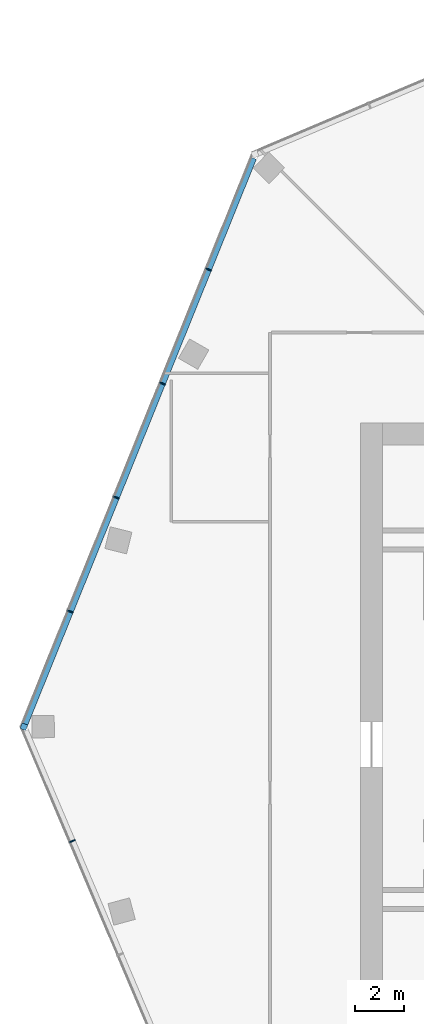
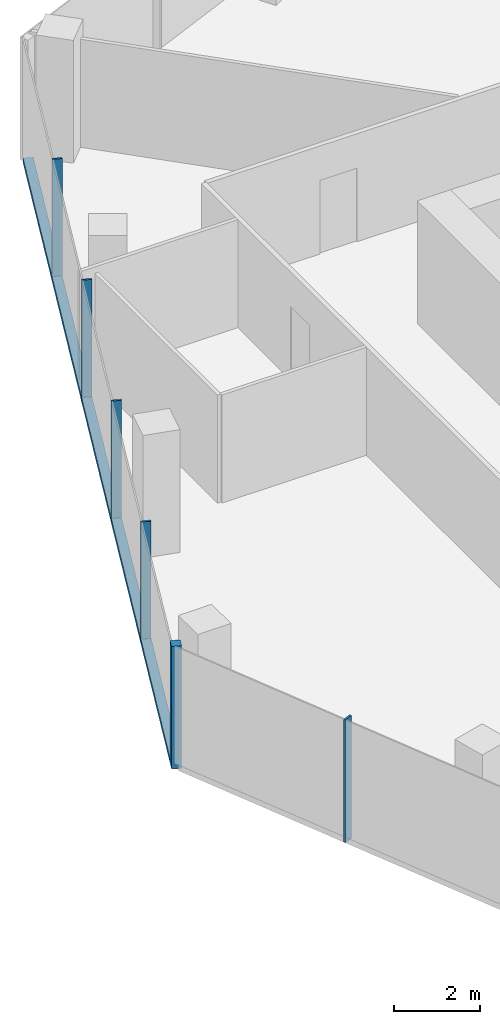
# One storey, part 6 of 15: 7 members, 2 elements without a shape of their own.
"""IFC4 building model written with IfcOpenShell, lengths in metres."""

from ifc_helpers import new_model, si_unit, direction, frame, origin, origin_2d, place, context, subcontext, project, spatial, rectangle, extrude, material, material_profile, profile_set, type_object, element, aggregate, save


model = new_model("IFC4")

# Units and contexts
model_context = context("Model", 3, precision=1e-05, world=origin(), true_north=direction((0.0, 1.0)))
body_context = subcontext(model_context, "Body", "Model", "MODEL_VIEW")
ifc_project = project(units=[si_unit("LENGTHUNIT", "METRE"), si_unit("AREAUNIT", "SQUARE_METRE"), si_unit("VOLUMEUNIT", "CUBIC_METRE"), si_unit("PLANEANGLEUNIT", "RADIAN"), si_unit("MASSUNIT", "GRAM", prefix="KILO")], contexts=[model_context])

# Site, building, storey
site_placement = place(None, origin())
site = spatial("IfcSite", under=ifc_project, at=site_placement, CompositionType="ELEMENT")
building_placement = place(site_placement, origin())
building = spatial("IfcBuilding", under=site, at=building_placement, Name="Orlundy Tower", CompositionType="ELEMENT")
storey_placement = place(building_placement, frame((0.0, 0.0, 278.89990234375)))
storey = spatial("IfcBuildingStorey", under=building, at=storey_placement, Name="L74", CompositionType="ELEMENT", Elevation=278.89990234375)

# Curtain wall, member
ifc_material_1 = material(Name="Aluminium bronze anodised", Category="aluminium")
curtain_wall_type = type_object("IfcCurtainWallType", Name="CW6 wall", PredefinedType="NOTDEFINED", material=ifc_material_1)
curtain_wall_1_placement = place(storey_placement, origin())
curtain_wall_1 = element("IfcCurtainWall", 1, at=curtain_wall_1_placement, inside=storey, type_object=curtain_wall_type, Name="CW6 run 015", PredefinedType="NOTDEFINED")
ifc_material_2 = material(Name="Aluminium bronze anodised", Category="aluminium")
ifc_material_profile_1 = material_profile(ifc_material_2, rectangle(XDim=0.239990234375, YDim=0.239990234375, at=origin_2d()), Name="CW6 corner post 240x240")
ifc_profile_set_1 = profile_set([ifc_material_profile_1], Name="Aluminium bronze anodised")
member_type_1 = type_object("IfcMemberType", Name="CW6 corner post 240x240", PredefinedType="MULLION", material=ifc_profile_set_1)
member_1_placement = place(storey_placement, frame((-32.600830078125, -0.2841796875, -0.39990234375), z_axis=(0.0, 0.0, 1.0), x_axis=(-0.927183523653, 0.374607412456, 0.0)))
member_1 = element("IfcMember", 2, at=member_1_placement, type_object=member_type_1, Name="CW6 mullion 27", PredefinedType="MULLION", context=body_context, shape_type="SweptSolid", body=[
    extrude(rectangle(XDim=0.239990234375, YDim=0.239990234375, at=origin_2d()), origin(), (0.0, 0.0, 1.0), 3.5),
])

curtain_wall_2_placement = place(storey_placement, origin())
curtain_wall_2 = element("IfcCurtainWall", 3, at=curtain_wall_2_placement, inside=storey, type_object=curtain_wall_type, Name="CW6 run 014", PredefinedType="NOTDEFINED")
ifc_material_3 = material(Name="Aluminium bronze anodised", Category="aluminium")
ifc_material_profile_2 = material_profile(ifc_material_3, rectangle(XDim=0.239990234375, YDim=0.050048828125, at=origin_2d()), Name="CW6 mullion 50x240")
ifc_profile_set_2 = profile_set([ifc_material_profile_2], Name="Aluminium bronze anodised")
member_type_2 = type_object("IfcMemberType", Name="CW6 mullion 50x240", PredefinedType="MULLION", material=ifc_profile_set_2)
member_2_placement = place(storey_placement, frame((-30.63916015625, -4.905517578125, -0.39990234375), z_axis=(0.0, 0.0, 1.0), x_axis=(-0.920506804854, -0.390726531244, 0.0)))
member_2 = element("IfcMember", 4, at=member_2_placement, type_object=member_type_2, Name="CW6 mullion 26", PredefinedType="MULLION", context=body_context, shape_type="SweptSolid", body=[
    extrude(rectangle(XDim=0.239990234375, YDim=0.050048828125, at=origin_2d()), origin(), (0.0, 0.0, 1.0), 3.5),
])
aggregate(curtain_wall_2, [member_2])

# Member
member_3_placement = place(storey_placement, frame((-30.72021484375, 4.37060546875, -0.39990234375), z_axis=(0.0, 0.0, 1.0), x_axis=(-0.927183523653, 0.374607412456, 0.0)))
member_3 = element("IfcMember", 5, at=member_3_placement, type_object=member_type_2, Name="CW6 mullion 28", PredefinedType="MULLION", context=body_context, shape_type="SweptSolid", body=[
    extrude(rectangle(XDim=0.239990234375, YDim=0.050048828125, at=origin_2d()), origin(), (0.0, 0.0, 1.0), 3.5),
])

member_4_placement = place(storey_placement, frame((-28.858154296875, 8.979248046875, -0.39990234375), z_axis=(0.0, 0.0, 1.0), x_axis=(-0.927183523653, 0.374607412456, 0.0)))
member_4 = element("IfcMember", 6, at=member_4_placement, type_object=member_type_2, Name="CW6 mullion 29", PredefinedType="MULLION", context=body_context, shape_type="SweptSolid", body=[
    extrude(rectangle(XDim=0.239990234375, YDim=0.050048828125, at=origin_2d()), origin(), (0.0, 0.0, 1.0), 3.5),
])

member_5_placement = place(storey_placement, frame((-26.996337890625, 13.587646484375, -0.39990234375), z_axis=(0.0, 0.0, 1.0), x_axis=(-0.927183523653, 0.374607412456, 0.0)))
member_5 = element("IfcMember", 7, at=member_5_placement, type_object=member_type_2, Name="CW6 mullion 30", PredefinedType="MULLION", context=body_context, shape_type="SweptSolid", body=[
    extrude(rectangle(XDim=0.239990234375, YDim=0.050048828125, at=origin_2d()), origin(), (0.0, 0.0, 1.0), 3.5),
])

member_6_placement = place(storey_placement, frame((-25.13427734375, 18.1962890625, -0.39990234375), z_axis=(0.0, 0.0, 1.0), x_axis=(-0.927183523653, 0.374607412456, 0.0)))
member_6 = element("IfcMember", 8, at=member_6_placement, type_object=member_type_2, Name="CW6 mullion 31", PredefinedType="MULLION", context=body_context, shape_type="SweptSolid", body=[
    extrude(rectangle(XDim=0.239990234375, YDim=0.050048828125, at=origin_2d()), origin(), (0.0, 0.0, 1.0), 3.5),
])

ifc_material_4 = material(Name="Aluminium bronze anodised", Category="aluminium")
ifc_material_profile_3 = material_profile(ifc_material_4, rectangle(XDim=0.239990234375, YDim=0.159912109375, at=origin_2d()), Name="CW6 transom 240x160")
ifc_profile_set_3 = profile_set([ifc_material_profile_3], Name="Aluminium bronze anodised")
member_type_3 = type_object("IfcMemberType", Name="CW6 transom 240x160", PredefinedType="USERDEFINED", material=ifc_profile_set_3)
member_7_placement = place(storey_placement, frame((-32.555908203125, -0.1728515625, -0.31982421875), z_axis=(0.374610845619, 0.927182136554, 0.0), x_axis=(-0.927182136554, 0.374610845619, 0.0)))
member_7 = element("IfcMember", 9, at=member_7_placement, type_object=member_type_3, Name="CW6 transom", ObjectType="TRANSOM", PredefinedType="USERDEFINED", context=body_context, shape_type="SweptSolid", body=[
    extrude(rectangle(XDim=0.239990234375, YDim=0.159912109375, at=origin_2d()), origin(), (0.0, 0.0, 1.0), 24.662353515625),
])

aggregate(curtain_wall_1, [member_1, member_3, member_4, member_5, member_6, member_7])

save(model, "model.ifc")
